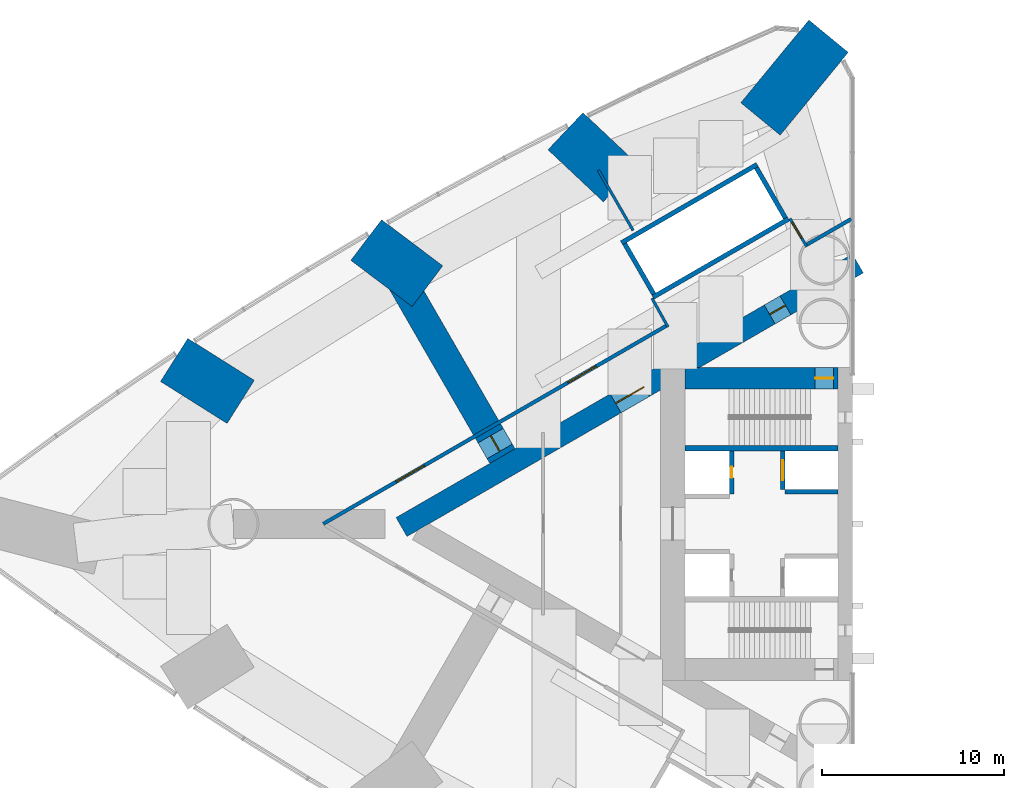
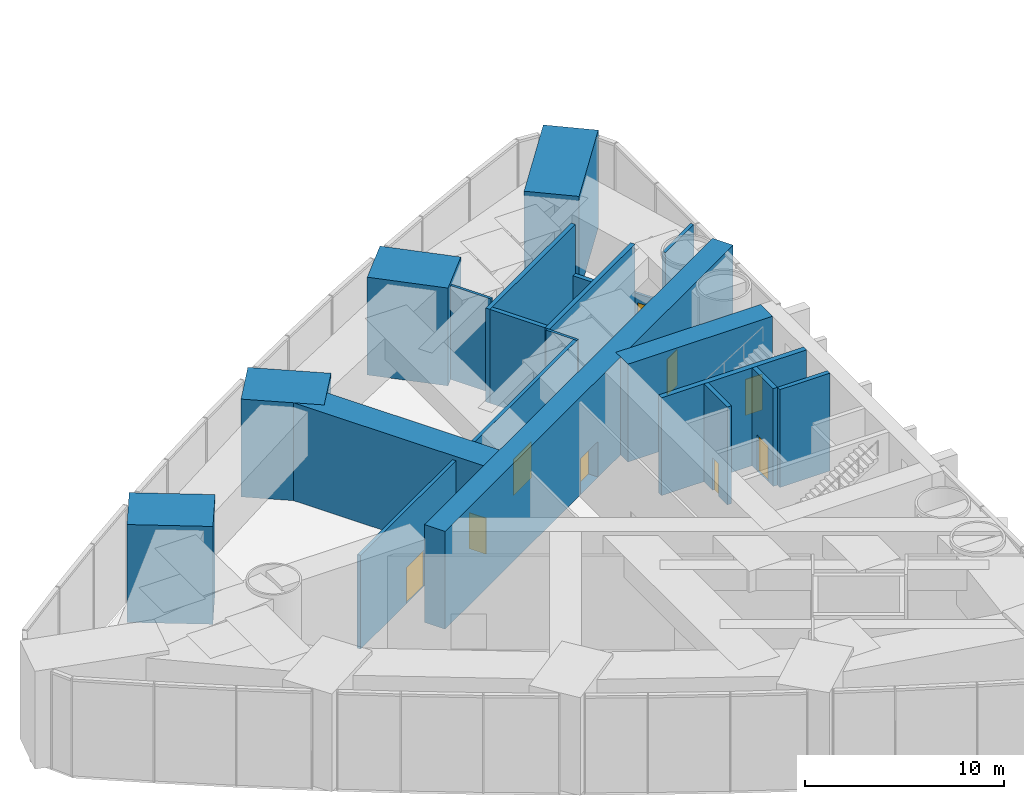
# One storey, part 14 of 18: 20 walls, 9 doors, 9 openings.
"""IFC4 building model written with IfcOpenShell, lengths in metres."""

from ifc_helpers import new_model, si_unit, direction, frame, frame_2d, origin, place, context, subcontext, project, spatial, rectangle, extrude, material, layer, layer_set, type_object, element, fill, save


model = new_model("IFC4")

# Units and contexts
model_context = context("Model", 3, precision=1e-05, world=origin(), true_north=direction((0.0, 1.0)))
body_context = subcontext(model_context, "Body", "Model", "MODEL_VIEW")
ifc_project = project(units=[si_unit("LENGTHUNIT", "METRE"), si_unit("AREAUNIT", "SQUARE_METRE"), si_unit("VOLUMEUNIT", "CUBIC_METRE"), si_unit("PLANEANGLEUNIT", "RADIAN"), si_unit("MASSUNIT", "GRAM", prefix="KILO")], contexts=[model_context])

# Site, building, storey
site_placement = place(None, origin())
site = spatial("IfcSite", under=ifc_project, at=site_placement, CompositionType="ELEMENT")
building_placement = place(site_placement, origin())
building = spatial("IfcBuilding", under=site, at=building_placement, Name="Lancet Gate Hotel", CompositionType="ELEMENT")
storey_placement = place(building_placement, frame((0.0, 0.0, 81.0)))
storey = spatial("IfcBuildingStorey", under=building, at=storey_placement, Name="L21", CompositionType="ELEMENT", Elevation=81.0)

# Wall, openings, doors
ifc_material_1 = material(Name="Concrete C70/85", Category="concrete")
ifc_layer_1 = layer(ifc_material_1, 1.199951171875)
ifc_layer_set_1 = layer_set([ifc_layer_1], Name="Buttress wall 1200")
wall_type_1 = type_object("IfcWallType", Name="Buttress wall 1200", PredefinedType="SHEAR", material=ifc_layer_set_1)
wall_1_placement = place(storey_placement, frame((-27.199951171875, 14.300048828125, 0.0), z_axis=(0.0, 0.0, 1.0), x_axis=(-0.866026593062, -0.499997940104, 0.0)))
wall_1 = element("IfcWall", 1, at=wall_1_placement, inside=storey, type_object=wall_type_1, Name="T1 buttress wall S L21", PredefinedType="SHEAR", context=body_context, shape_type="SweptSolid", body=[
    extrude(rectangle(XDim=28.9462890625, YDim=1.199951171875, at=frame_2d((14.47314453125, 0.0))), origin(), (0.0, 0.0, 1.0), 6.0),
])
opening_1_placement = place(wall_1_placement, frame((4.60009765625, 0.0, 0.0)))
opening_1 = element("IfcOpeningElement", 2, at=opening_1_placement, cuts=wall_1, Name="Opening T1-L21-LS", PredefinedType="OPENING", context=body_context, shape_type="SweptSolid", body=[
    extrude(rectangle(XDim=1.0, YDim=2.199951171875, at=frame_2d((0.5, 1.10009765625))), frame((0.0, 0.60986328125, 0.0), z_axis=(0.0, -1.0, 0.0), x_axis=(1.0, 0.0, 0.0)), (0.0, 0.0, 1.0), 1.219970703125),
])
opening_2_placement = place(wall_1_placement, frame((13.567626953125, 0.0, 0.0)))
opening_2 = element("IfcOpeningElement", 3, at=opening_2_placement, cuts=wall_1, Name="Opening T1-L21-LHS", PredefinedType="OPENING", context=body_context, shape_type="SweptSolid", body=[
    extrude(rectangle(XDim=1.800048828125, YDim=2.199951171875, at=frame_2d((0.89990234375, 1.10009765625))), frame((0.0, 0.60986328125, 0.0), z_axis=(0.0, -1.0, 0.0), x_axis=(1.0, 0.0, 0.0)), (0.0, 0.0, 1.0), 1.219970703125),
])
ifc_material_2 = material(Name="Timber door set", Category="wood")
door_type_1 = type_object("IfcDoorType", Name="Lobby double door 1800", OperationType="DOUBLE_DOOR_SINGLE_SWING", PredefinedType="DOOR", material=ifc_material_2)
door_1_placement = place(opening_2_placement, origin())
door_1 = element("IfcDoor", 4, at=door_1_placement, inside=storey, type_object=door_type_1, Name="T1-L21-LHS", OperationType="DOUBLE_DOOR_SINGLE_SWING", OverallHeight=2.199951171875, OverallWidth=1.800048828125, PredefinedType="DOOR", context=body_context, shape_type="SweptSolid", body=[
    extrude(rectangle(XDim=1.800048828125, YDim=2.199951171875, at=frame_2d((0.89990234375, 1.10009765625))), frame((0.0, 0.02490234375, 0.0), z_axis=(0.0, -1.0, 0.0), x_axis=(1.0, 0.0, 0.0)), (0.0, 0.0, 1.0), 0.050048828125),
])
fill(opening_2, door_1)
ifc_material_3 = material(Name="Timber door set", Category="wood")
door_type_2 = type_object("IfcDoorType", Name="Stair lobby door 1000", OperationType="SINGLE_SWING_LEFT", PredefinedType="DOOR", material=ifc_material_3)
door_2_placement = place(opening_1_placement, origin())
door_2 = element("IfcDoor", 5, at=door_2_placement, inside=storey, type_object=door_type_2, Name="T1-L21-LS", OperationType="SINGLE_SWING_LEFT", OverallHeight=2.199951171875, OverallWidth=1.0, PredefinedType="DOOR", context=body_context, shape_type="SweptSolid", body=[
    extrude(rectangle(XDim=1.0, YDim=2.199951171875, at=frame_2d((0.5, 1.10009765625))), frame((0.0, 0.02490234375, 0.0), z_axis=(0.0, -1.0, 0.0), x_axis=(1.0, 0.0, 0.0)), (0.0, 0.0, 1.0), 0.050048828125),
])
fill(opening_1, door_2)

# Wall, opening, door
ifc_material_4 = material(Name="Concrete C70/85", Category="concrete")
ifc_layer_2 = layer(ifc_material_4, 1.199951171875)
ifc_layer_set_2 = layer_set([ifc_layer_2], Name="Core wall 1200")
wall_type_2 = type_object("IfcWallType", Name="Core wall 1200", PredefinedType="SHEAR", material=ifc_layer_set_2)
wall_2_placement = place(storey_placement, frame((-28.300048828125, 8.0, 0.0), z_axis=(0.0, 0.0, 1.0), x_axis=(-1.0, 0.0, 0.0)))
wall_2 = element("IfcWall", 6, at=wall_2_placement, inside=storey, type_object=wall_type_2, Name="T1 core wall side-S L21", PredefinedType="SHEAR", context=body_context, shape_type="SweptSolid", body=[
    extrude(rectangle(XDim=8.39990234375, YDim=1.199951171875, at=frame_2d((4.199951171875, 0.0))), origin(), (0.0, 0.0, 1.0), 6.0),
])
opening_3_placement = place(wall_2_placement, frame((0.25, 0.0, 0.0)))
opening_3 = element("IfcOpeningElement", 7, at=opening_3_placement, cuts=wall_2, Name="Opening T1-L21-ST1", PredefinedType="OPENING", context=body_context, shape_type="SweptSolid", body=[
    extrude(rectangle(XDim=1.0, YDim=2.199951171875, at=frame_2d((0.5, 1.10009765625))), frame((0.0, 0.60986328125, 0.0), z_axis=(0.0, -1.0, 0.0), x_axis=(1.0, 0.0, 0.0)), (0.0, 0.0, 1.0), 1.219970703125),
])
ifc_material_5 = material(Name="Timber door set", Category="wood")
door_type_3 = type_object("IfcDoorType", Name="Stair door 1000", OperationType="SINGLE_SWING_RIGHT", PredefinedType="DOOR", material=ifc_material_5)
door_3_placement = place(opening_3_placement, origin())
door_3 = element("IfcDoor", 8, at=door_3_placement, inside=storey, type_object=door_type_3, Name="T1-L21-ST1", OperationType="SINGLE_SWING_RIGHT", OverallHeight=2.199951171875, OverallWidth=1.0, PredefinedType="DOOR", context=body_context, shape_type="SweptSolid", body=[
    extrude(rectangle(XDim=1.0, YDim=2.199951171875, at=frame_2d((0.5, 1.10009765625))), frame((0.0, 0.02490234375, 0.0), z_axis=(0.0, -1.0, 0.0), x_axis=(1.0, 0.0, 0.0)), (0.0, 0.0, 1.0), 0.050048828125),
])
fill(opening_3, door_3)

# Wall
ifc_material_6 = material(Name="Gypsum board partition")
ifc_layer_3 = layer(ifc_material_6, 0.199951171875)
ifc_layer_set_3 = layer_set([ifc_layer_3], Name="Corridor wall 200")
wall_type_3 = type_object("IfcWallType", Name="Corridor wall 200", PredefinedType="PARTITIONING", material=ifc_layer_set_3)
wall_3_placement = place(storey_placement, frame((-27.572021484375, 16.740966796875, 0.0), z_axis=(0.0, 0.0, 1.0), x_axis=(-0.866034618596, -0.499984039138, 0.0)))
element("IfcWall", 9, at=wall_3_placement, inside=storey, type_object=wall_type_3, Name="T1 corridor wall 200 L21", PredefinedType="PARTITIONING", context=body_context, shape_type="SweptSolid", body=[
    extrude(rectangle(XDim=2.8544921875, YDim=0.199951171875, at=frame_2d((1.42724609375, 0.0))), origin(), (0.0, 0.0, 1.0), 5.75),
])

# Wall, openings, doors
wall_4_placement = place(storey_placement, frame((-37.699951171875, 10.8935546875, 0.0), z_axis=(0.0, 0.0, 1.0), x_axis=(-0.866027905338, -0.499995667157, 0.0)))
wall_4 = element("IfcWall", 10, at=wall_4_placement, inside=storey, type_object=wall_type_3, Name="T1 corridor wall 200 L21", PredefinedType="PARTITIONING", context=body_context, shape_type="SweptSolid", body=[
    extrude(rectangle(XDim=21.787353515625, YDim=0.199951171875, at=frame_2d((10.8935546875, 0.0))), origin(), (0.0, 0.0, 1.0), 5.75),
])
opening_4_placement = place(wall_4_placement, frame((15.368896484375, 0.0, 0.0)))
opening_4 = element("IfcOpeningElement", 11, at=opening_4_placement, cuts=wall_4, Name="Opening T1-L21-RA04", PredefinedType="OPENING", context=body_context, shape_type="SweptSolid", body=[
    extrude(rectangle(XDim=1.800048828125, YDim=2.199951171875, at=frame_2d((0.89990234375, 1.10009765625))), frame((0.0, 0.10986328125, 0.0), z_axis=(0.0, -1.0, 0.0), x_axis=(1.0, 0.0, 0.0)), (0.0, 0.0, 1.0), 0.219970703125),
])
opening_5_placement = place(wall_4_placement, frame((4.476318359375, 0.0, 0.0)))
opening_5 = element("IfcOpeningElement", 12, at=opening_5_placement, cuts=wall_4, Name="Opening T1-L21-RA02", PredefinedType="OPENING", context=body_context, shape_type="SweptSolid", body=[
    extrude(rectangle(XDim=1.800048828125, YDim=2.199951171875, at=frame_2d((0.89990234375, 1.10009765625))), frame((0.0, 0.10986328125, 0.0), z_axis=(0.0, -1.0, 0.0), x_axis=(1.0, 0.0, 0.0)), (0.0, 0.0, 1.0), 0.219970703125),
])
ifc_material_7 = material(Name="Timber door set", Category="wood")
door_type_4 = type_object("IfcDoorType", Name="Double door 1800", OperationType="DOUBLE_DOOR_SINGLE_SWING", PredefinedType="DOOR", material=ifc_material_7)
door_4_placement = place(opening_4_placement, origin())
door_4 = element("IfcDoor", 13, at=door_4_placement, inside=storey, type_object=door_type_4, Name="T1-L21-RA04", OperationType="DOUBLE_DOOR_SINGLE_SWING", OverallHeight=2.199951171875, OverallWidth=1.800048828125, PredefinedType="DOOR", context=body_context, shape_type="SweptSolid", body=[
    extrude(rectangle(XDim=1.800048828125, YDim=2.199951171875, at=frame_2d((0.89990234375, 1.10009765625))), frame((0.0, 0.02490234375, 0.0), z_axis=(0.0, -1.0, 0.0), x_axis=(1.0, 0.0, 0.0)), (0.0, 0.0, 1.0), 0.050048828125),
])
fill(opening_4, door_4)
door_5_placement = place(opening_5_placement, origin())
door_5 = element("IfcDoor", 14, at=door_5_placement, inside=storey, type_object=door_type_4, Name="T1-L21-RA02", OperationType="DOUBLE_DOOR_SINGLE_SWING", OverallHeight=2.199951171875, OverallWidth=1.800048828125, PredefinedType="DOOR", context=body_context, shape_type="SweptSolid", body=[
    extrude(rectangle(XDim=1.800048828125, YDim=2.199951171875, at=frame_2d((0.89990234375, 1.10009765625))), frame((0.0, 0.02490234375, 0.0), z_axis=(0.0, -1.0, 0.0), x_axis=(1.0, 0.0, 0.0)), (0.0, 0.0, 1.0), 0.050048828125),
])
fill(opening_5, door_5)

# Walls
ifc_material_8 = material(Name="Gypsum board partition")
ifc_layer_4 = layer(ifc_material_8, 0.25)
ifc_layer_set_4 = layer_set([ifc_layer_4], Name="Lift shaft partition 250")
wall_type_4 = type_object("IfcWallType", Name="Lift shaft partition 250", PredefinedType="PARTITIONING", material=ifc_layer_set_4)
for number, where, z_axis, x_axis, name in (
    (15, (-31.010498046875, 16.747314453125, 0.0), (0.0, 0.0, 1.0), (-0.866028165386, -0.499995216735, 0.0), "T1 lift shaft wall LR L21"),
    (16, (-32.735595703125, 19.73583984375, 0.0), (0.0, 0.0, 1.0), (-0.866028165386, -0.499995216735, 0.0), "T1 lift shaft wall LR L21"),
):
    element("IfcWall", number, at=place(storey_placement, frame(where, z_axis=z_axis, x_axis=x_axis)), inside=storey, type_object=wall_type_4, Name=name, PredefinedType="PARTITIONING", context=body_context, shape_type="SweptSolid", body=[
        extrude(rectangle(XDim=8.60009765625, YDim=0.25, at=frame_2d((4.300048828125, 0.0))), origin(), (0.0, 0.0, 1.0), 5.75),
    ])
wall_5_placement = place(storey_placement, frame((-31.18115234375, 16.79296875, 0.0), z_axis=(0.0, 0.0, 1.0), x_axis=(-0.499929347863, 0.866066190972, 0.0)))
element("IfcWall", 17, at=wall_5_placement, inside=storey, type_object=wall_type_4, Name="T1 lift shaft wall LR L21", PredefinedType="PARTITIONING", context=body_context, shape_type="SweptSolid", body=[
    extrude(rectangle(XDim=3.20068359375, YDim=0.25, at=frame_2d((1.600341796875, 0.0))), origin(), (0.0, 0.0, 1.0), 2.75),
])
wall_6_placement = place(storey_placement, frame((-38.412841796875, 12.617919921875, 0.0), z_axis=(0.0, 0.0, 1.0), x_axis=(-0.499872130319, 0.866099216793, 0.0)))
element("IfcWall", 18, at=wall_6_placement, inside=storey, type_object=wall_type_4, Name="T1 lift shaft wall LR L21", PredefinedType="PARTITIONING", context=body_context, shape_type="SweptSolid", body=[
    extrude(rectangle(XDim=3.200439453125, YDim=0.25, at=frame_2d((1.60009765625, 0.0))), origin(), (0.0, 0.0, 1.0), 5.75),
])

# Wall, opening, door
ifc_material_9 = material(Name="Concrete C50/60", Category="concrete")
ifc_layer_5 = layer(ifc_material_9, 0.25)
ifc_layer_set_5 = layer_set([ifc_layer_5], Name="Lift shaft wall 250")
wall_type_5 = type_object("IfcWallType", Name="Lift shaft wall 250", PredefinedType="SHEAR", material=ifc_layer_set_5)
wall_7_placement = place(storey_placement, frame((-31.324951171875, 4.0, 0.0), z_axis=(0.0, 0.0, 1.0), x_axis=(0.0, -1.0, 0.0)))
wall_7 = element("IfcWall", 19, at=wall_7_placement, inside=storey, type_object=wall_type_5, Name="T1 core wall row1-S L21", PredefinedType="SHEAR", context=body_context, shape_type="SweptSolid", body=[
    extrude(rectangle(XDim=2.10009765625, YDim=0.25, at=frame_2d((1.050048828125, 0.0))), origin(), (0.0, 0.0, 1.0), 6.0),
])
opening_6_placement = place(wall_7_placement, frame((0.5, 0.0, 0.0)))
opening_6 = element("IfcOpeningElement", 20, at=opening_6_placement, cuts=wall_7, Name="Opening T1-SL1-L21", PredefinedType="OPENING", context=body_context, shape_type="SweptSolid", body=[
    extrude(rectangle(XDim=1.10009765625, YDim=2.199951171875, at=frame_2d((0.550048828125, 1.10009765625))), frame((0.0, 0.135009765625, 0.0), z_axis=(0.0, -1.0, 0.0), x_axis=(1.0, 0.0, 0.0)), (0.0, 0.0, 1.0), 0.27001953125),
])
ifc_material_10 = material(Name="Timber door set", Category="wood")
door_type_5 = type_object("IfcDoorType", Name="Service lift landing door 1100", OperationType="SLIDING_TO_LEFT", PredefinedType="USERDEFINED", material=ifc_material_10)
door_6_placement = place(opening_6_placement, origin())
door_6 = element("IfcDoor", 21, at=door_6_placement, inside=storey, type_object=door_type_5, Name="T1-SL1-L21", ObjectType="LIFT LANDING DOOR", OperationType="SLIDING_TO_LEFT", OverallHeight=2.199951171875, OverallWidth=1.10009765625, PredefinedType="USERDEFINED", context=body_context, shape_type="SweptSolid", body=[
    extrude(rectangle(XDim=1.10009765625, YDim=2.199951171875, at=frame_2d((0.550048828125, 1.10009765625))), frame((0.0, 0.02490234375, 0.0), z_axis=(0.0, -1.0, 0.0), x_axis=(1.0, 0.0, 0.0)), (0.0, 0.0, 1.0), 0.050048828125),
])
fill(opening_6, door_6)

wall_8_placement = place(storey_placement, frame((-34.125, 4.0, 0.0), z_axis=(0.0, 0.0, 1.0), x_axis=(0.0, -1.0, 0.0)))
wall_8 = element("IfcWall", 22, at=wall_8_placement, inside=storey, type_object=wall_type_5, Name="T1 core wall row2-S L21", PredefinedType="SHEAR", context=body_context, shape_type="SweptSolid", body=[
    extrude(rectangle(XDim=2.35009765625, YDim=0.25, at=frame_2d((1.175048828125, 0.0))), origin(), (0.0, 0.0, 1.0), 6.0),
])
opening_7_placement = place(wall_8_placement, frame((0.875, 0.0, 0.0)))
opening_7 = element("IfcOpeningElement", 23, at=opening_7_placement, cuts=wall_8, Name="Opening T1-OL3-L21-E", PredefinedType="OPENING", context=body_context, shape_type="SweptSolid", body=[
    extrude(rectangle(XDim=0.60009765625, YDim=2.0, at=frame_2d((0.300048828125, 1.0))), frame((0.0, 0.135009765625, 0.0), z_axis=(0.0, -1.0, 0.0), x_axis=(1.0, 0.0, 0.0)), (0.0, 0.0, 1.0), 0.27001953125),
])
ifc_material_11 = material(Name="Steel door set", Category="steel")
door_type_6 = type_object("IfcDoorType", Name="Lift shaft emergency door 600x2000", OperationType="SLIDING_TO_LEFT", PredefinedType="DOOR", material=ifc_material_11)
door_7_placement = place(opening_7_placement, origin())
door_7 = element("IfcDoor", 24, at=door_7_placement, inside=storey, type_object=door_type_6, Name="T1-OL3-L21-E", OperationType="SLIDING_TO_LEFT", OverallHeight=2.0, OverallWidth=0.60009765625, PredefinedType="DOOR", context=body_context, shape_type="SweptSolid", body=[
    extrude(rectangle(XDim=0.60009765625, YDim=2.0, at=frame_2d((0.300048828125, 1.0))), frame((0.0, 0.02490234375, 0.0), z_axis=(0.0, -1.0, 0.0), x_axis=(1.0, 0.0, 0.0)), (0.0, 0.0, 1.0), 0.050048828125),
])
fill(opening_7, door_7)

# Wall
wall_9_placement = place(storey_placement, frame((-28.300048828125, 1.77490234375, 0.0), z_axis=(0.0, 0.0, 1.0), x_axis=(-1.0, 0.0, 0.0)))
element("IfcWall", 25, at=wall_9_placement, inside=storey, type_object=wall_type_5, Name="T1 core wall pass1-S L21", PredefinedType="SHEAR", context=body_context, shape_type="SweptSolid", body=[
    extrude(rectangle(XDim=2.89990234375, YDim=0.25, at=frame_2d((1.449951171875, 0.0))), origin(), (0.0, 0.0, 1.0), 6.0),
])

# Wall, opening, door
ifc_material_12 = material(Name="Concrete C80/95", Category="concrete")
ifc_layer_6 = layer(ifc_material_12, 1.60009765625)
ifc_layer_set_6 = layer_set([ifc_layer_6], Name="Outrigger wall 1600")
wall_type_6 = type_object("IfcWallType", Name="Outrigger wall 1600", PredefinedType="SHEAR", material=ifc_layer_set_6)
wall_10_placement = place(storey_placement, frame((-46.724853515625, 3.719970703125, 0.0), z_axis=(0.0, 0.0, 1.0), x_axis=(-0.500000237956, 0.866025266401, 0.0)))
wall_10 = element("IfcWall", 26, at=wall_10_placement, inside=storey, type_object=wall_type_6, Name="T1 outrigger wall OS2 L21", PredefinedType="SHEAR", context=body_context, shape_type="SweptSolid", body=[
    extrude(rectangle(XDim=12.73046875, YDim=1.60009765625, at=frame_2d((6.365234375, 0.0))), origin(), (0.0, 0.0, 1.0), 6.0),
])
opening_8_placement = place(wall_10_placement, frame((0.300048828125, 0.0, 0.0)))
opening_8 = element("IfcOpeningElement", 27, at=opening_8_placement, cuts=wall_10, Name="Opening T1-L21-LSO", PredefinedType="OPENING", context=body_context, shape_type="SweptSolid", body=[
    extrude(rectangle(XDim=1.0, YDim=2.199951171875, at=frame_2d((0.5, 1.10009765625))), frame((0.0, 0.81005859375, 0.0), z_axis=(0.0, -1.0, 0.0), x_axis=(1.0, 0.0, 0.0)), (0.0, 0.0, 1.0), 1.6201171875),
])
ifc_material_13 = material(Name="Timber door set", Category="wood")
door_type_7 = type_object("IfcDoorType", Name="Corridor door 1000", OperationType="SINGLE_SWING_LEFT", PredefinedType="DOOR", material=ifc_material_13)
door_8_placement = place(opening_8_placement, origin())
door_8 = element("IfcDoor", 28, at=door_8_placement, inside=storey, type_object=door_type_7, Name="T1-L21-LSO", OperationType="SINGLE_SWING_LEFT", OverallHeight=2.199951171875, OverallWidth=1.0, PredefinedType="DOOR", context=body_context, shape_type="SweptSolid", body=[
    extrude(rectangle(XDim=1.0, YDim=2.199951171875, at=frame_2d((0.5, 1.10009765625))), frame((0.0, 0.02490234375, 0.0), z_axis=(0.0, -1.0, 0.0), x_axis=(1.0, 0.0, 0.0)), (0.0, 0.0, 1.0), 0.050048828125),
])
fill(opening_8, door_8)

# Walls
ifc_material_14 = material(Name="Gypsum board partition")
ifc_layer_7 = layer(ifc_material_14, 0.14990234375)
ifc_layer_set_7 = layer_set([ifc_layer_7], Name="Party wall 150")
wall_type_7 = type_object("IfcWallType", Name="Party wall 150", PredefinedType="PARTITIONING", material=ifc_layer_set_7)
wall_11_placement = place(storey_placement, frame((-39.55078125, 16.11865234375, 0.0), z_axis=(0.0, 0.0, 1.0), x_axis=(-0.500014214979, 0.866017196607, 0.0)))
element("IfcWall", 29, at=wall_11_placement, inside=storey, type_object=wall_type_7, Name="T1 party wall 150 L21", PredefinedType="PARTITIONING", context=body_context, shape_type="SweptSolid", body=[
    extrude(rectangle(XDim=3.81494140625, YDim=0.14990234375, at=frame_2d((1.907470703125, 0.0))), origin(), (0.0, 0.0, 1.0), 5.75),
])
ifc_material_15 = material(Name="Concrete C80/95", Category="concrete")
ifc_layer_8 = layer(ifc_material_15, 2.800048828125)
ifc_layer_set_8 = layer_set([ifc_layer_8], Name="Radial transfer wall 2800")
wall_type_8 = type_object("IfcWallType", Name="Radial transfer wall 2800", PredefinedType="SHEAR", material=ifc_layer_set_8)
wall_12_placement = place(storey_placement, frame((-28.81396484375, 26.783935546875, 0.0), z_axis=(0.0, 0.0, 1.0), x_axis=(-0.635272533776, -0.77228803424, 0.0)))
element("IfcWall", 30, at=wall_12_placement, inside=storey, type_object=wall_type_8, Name="T1 radial transfer wall CS L21", PredefinedType="SHEAR", context=body_context, shape_type="SweptSolid", body=[
    extrude(rectangle(XDim=5.88720703125, YDim=2.800048828125, at=frame_2d((2.943603515625, 0.0))), origin(), (0.0, 0.0, 1.0), 6.0),
])
wall_13_placement = place(storey_placement, frame((-43.2646484375, 21.567138671875, 0.0), z_axis=(0.0, 0.0, 1.0), x_axis=(0.728105540353, -0.685465040762, 0.0)))
element("IfcWall", 31, at=wall_13_placement, inside=storey, type_object=wall_type_8, Name="T1 radial transfer wall OS1 L21", PredefinedType="SHEAR", context=body_context, shape_type="SweptSolid", body=[
    extrude(rectangle(XDim=4.173828125, YDim=2.800048828125, at=frame_2d((2.0869140625, 0.0))), origin(), (0.0, 0.0, 1.0), 6.0),
])
wall_14_placement = place(storey_placement, frame((-54.2080078125, 15.587890625, 0.0), z_axis=(0.0, 0.0, 1.0), x_axis=(0.798432065831, -0.602084907843, 0.0)))
element("IfcWall", 32, at=wall_14_placement, inside=storey, type_object=wall_type_8, Name="T1 radial transfer wall OS2 L21", PredefinedType="SHEAR", context=body_context, shape_type="SweptSolid", body=[
    extrude(rectangle(XDim=4.21142578125, YDim=2.800048828125, at=frame_2d((2.105712890625, 0.0))), origin(), (0.0, 0.0, 1.0), 6.0),
])
wall_15_placement = place(storey_placement, frame((-64.756103515625, 9.001953125, 0.0), z_axis=(0.0, 0.0, 1.0), x_axis=(0.845851319887, -0.533418732934, 0.0)))
element("IfcWall", 33, at=wall_15_placement, inside=storey, type_object=wall_type_8, Name="T1 radial transfer wall OS3 L21", PredefinedType="SHEAR", context=body_context, shape_type="SweptSolid", body=[
    extrude(rectangle(XDim=4.319580078125, YDim=2.800048828125, at=frame_2d((2.15966796875, 0.0))), origin(), (0.0, 0.0, 1.0), 6.0),
])

# Wall, opening, door
ifc_material_16 = material(Name="Gypsum board partition")
ifc_layer_9 = layer(ifc_material_16, 0.14990234375)
ifc_layer_set_9 = layer_set([ifc_layer_9], Name="Service room wall 150")
wall_type_9 = type_object("IfcWallType", Name="Service room wall 150", PredefinedType="PARTITIONING", material=ifc_layer_set_9)
wall_16_placement = place(storey_placement, frame((-30.00732421875, 15.219482421875, 0.0), z_axis=(0.0, 0.0, 1.0), x_axis=(-0.514296815006, 0.857612258585, 0.0)))
wall_16 = element("IfcWall", 34, at=wall_16_placement, inside=storey, type_object=wall_type_9, Name="T1 service room wall 150 L21", PredefinedType="PARTITIONING", context=body_context, shape_type="SweptSolid", body=[
    extrude(rectangle(XDim=1.804931640625, YDim=0.14990234375, at=frame_2d((0.90234375, 0.0))), origin(), (0.0, 0.0, 1.0), 2.75),
])
opening_9_placement = place(wall_16_placement, frame((0.552001953125, 0.0, 0.0)))
opening_9 = element("IfcOpeningElement", 35, at=opening_9_placement, cuts=wall_16, Name="Opening T1-L21-RA01", PredefinedType="OPENING", context=body_context, shape_type="SweptSolid", body=[
    extrude(rectangle(XDim=1.0, YDim=2.199951171875, at=frame_2d((0.5, 1.10009765625))), frame((0.0, 0.0849609375, 0.0), z_axis=(0.0, -1.0, 0.0), x_axis=(1.0, 0.0, 0.0)), (0.0, 0.0, 1.0), 0.169921875),
])
ifc_material_17 = material(Name="Timber door set", Category="wood")
door_type_8 = type_object("IfcDoorType", Name="Service door 1000", OperationType="SINGLE_SWING_LEFT", PredefinedType="DOOR", material=ifc_material_17)
door_9_placement = place(opening_9_placement, origin())
door_9 = element("IfcDoor", 36, at=door_9_placement, inside=storey, type_object=door_type_8, Name="T1-L21-RA01", OperationType="SINGLE_SWING_LEFT", OverallHeight=2.199951171875, OverallWidth=1.0, PredefinedType="DOOR", context=body_context, shape_type="SweptSolid", body=[
    extrude(rectangle(XDim=1.0, YDim=2.199951171875, at=frame_2d((0.5, 1.10009765625))), frame((0.0, 0.02490234375, 0.0), z_axis=(0.0, -1.0, 0.0), x_axis=(1.0, 0.0, 0.0)), (0.0, 0.0, 1.0), 0.050048828125),
])
fill(opening_9, door_9)

# Walls
wall_17_placement = place(storey_placement, frame((-38.513427734375, 12.392333984375, 0.0), z_axis=(0.0, 0.0, 1.0), x_axis=(0.485585508183, -0.874189175317, 0.0)))
element("IfcWall", 37, at=wall_17_placement, inside=storey, type_object=wall_type_9, Name="T1 service room wall 150 L21", PredefinedType="PARTITIONING", context=body_context, shape_type="SweptSolid", body=[
    extrude(rectangle(XDim=1.804931640625, YDim=0.14990234375, at=frame_2d((0.90234375, 0.0))), origin(), (0.0, 0.0, 1.0), 5.75),
])
ifc_material_18 = material(Name="Concrete C50/60", Category="concrete")
ifc_layer_10 = layer(ifc_material_18, 0.300048828125)
ifc_layer_set_10 = layer_set([ifc_layer_10], Name="Stair enclosure wall 300")
wall_type_10 = type_object("IfcWallType", Name="Stair enclosure wall 300", PredefinedType="SHEAR", material=ifc_layer_set_10)
wall_18_placement = place(storey_placement, frame((-28.300048828125, 4.14990234375, 0.0), z_axis=(0.0, 0.0, 1.0), x_axis=(-1.0, 0.0, 0.0)))
element("IfcWall", 38, at=wall_18_placement, inside=storey, type_object=wall_type_10, Name="T1 core wall stair-S L21", PredefinedType="SHEAR", context=body_context, shape_type="SweptSolid", body=[
    extrude(rectangle(XDim=8.39990234375, YDim=0.300048828125, at=frame_2d((4.199951171875, 0.0))), origin(), (0.0, 0.0, 1.0), 6.0),
])

save(model, "model.ifc")
